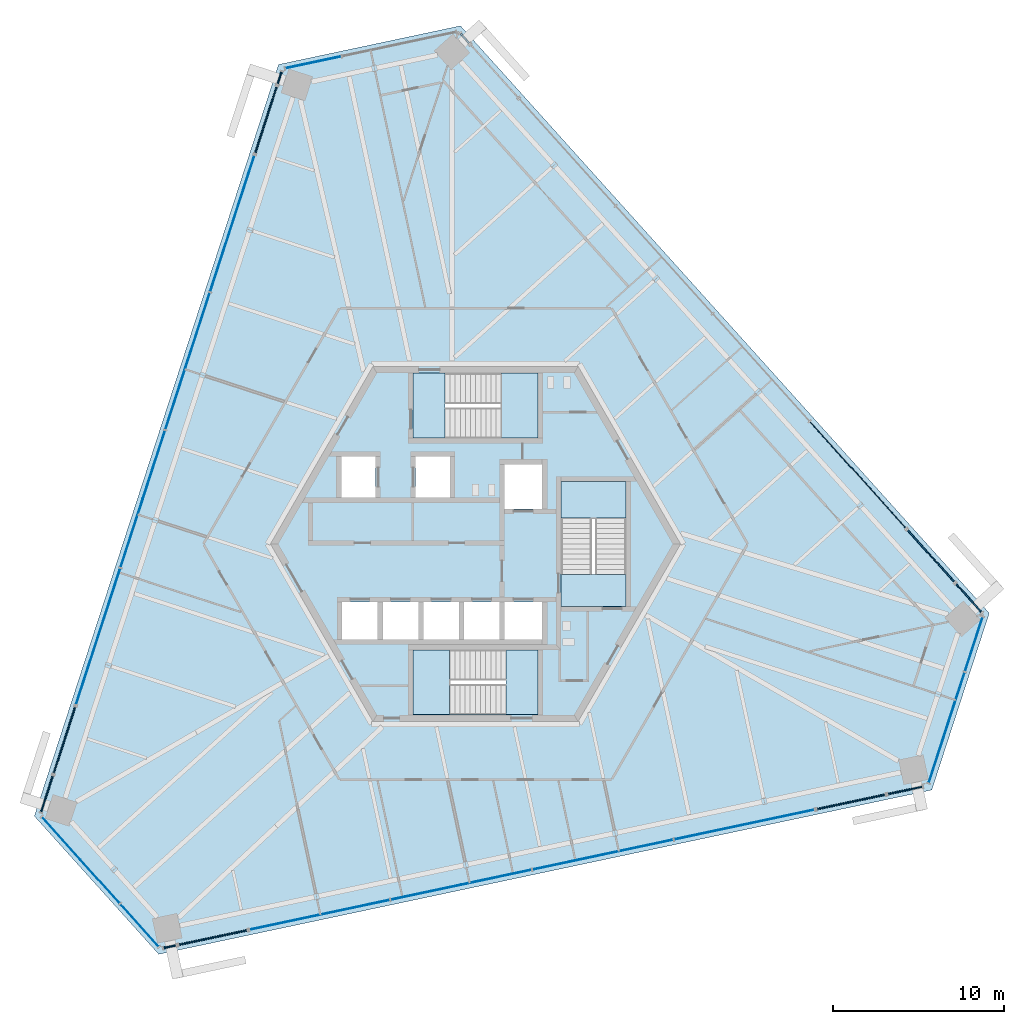
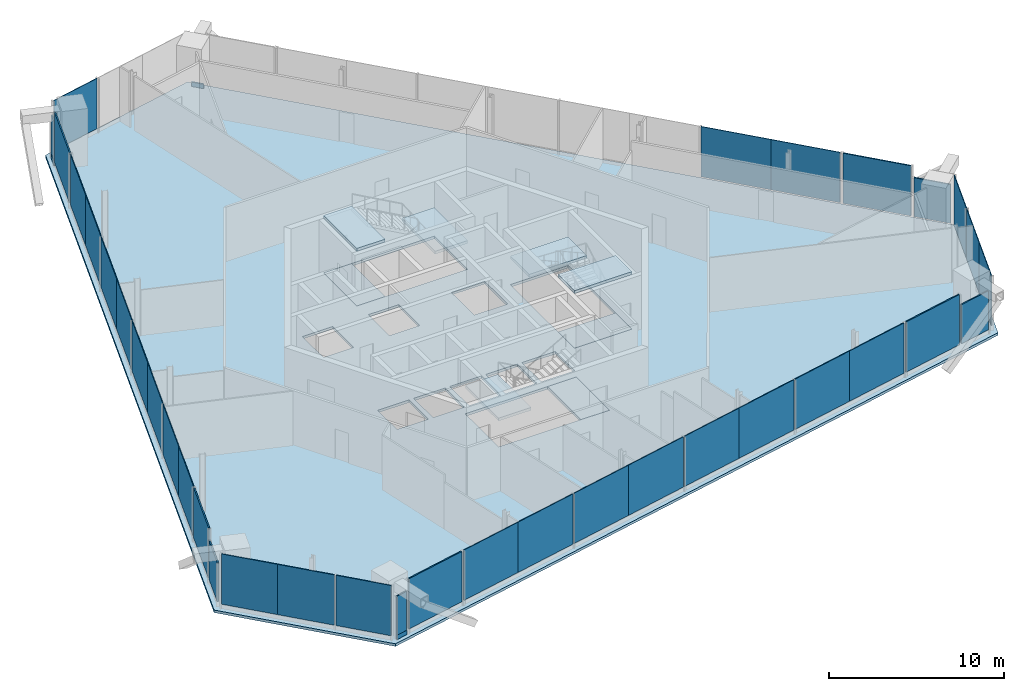
# One storey, part 9 of 16: 35 plates, 9 slabs, 3 members, 20 elements without a shape of their own.
"""IFC4 building model written with IfcOpenShell, lengths in metres."""

from ifc_helpers import new_model, si_unit, direction, frame, origin, origin_2d, place, context, subcontext, project, spatial, polyline, rectangle, outline, extrude, source, transform, mapped, material, layer, layer_set, material_profile, profile_set, type_object, element, aggregate, save


model = new_model("IFC4")

# Units and contexts
model_context = context("Model", 3, precision=1e-05, world=origin(), true_north=direction((0.0, 1.0)))
body_context = subcontext(model_context, "Body", "Model", "MODEL_VIEW")
ifc_project = project(units=[si_unit("LENGTHUNIT", "METRE"), si_unit("AREAUNIT", "SQUARE_METRE"), si_unit("VOLUMEUNIT", "CUBIC_METRE"), si_unit("PLANEANGLEUNIT", "RADIAN"), si_unit("MASSUNIT", "GRAM", prefix="KILO")], contexts=[model_context])

# Site, building, storey
site_placement = place(None, origin())
site = spatial("IfcSite", under=ifc_project, at=site_placement, CompositionType="ELEMENT")
building_placement = place(site_placement, origin())
building = spatial("IfcBuilding", under=site, at=building_placement, Name="Triune Harvest Tower", CompositionType="ELEMENT")
storey_placement = place(building_placement, frame((0.0, 0.0, 292.699951171875)))
storey = spatial("IfcBuildingStorey", under=building, at=storey_placement, Name="L77", CompositionType="ELEMENT", Elevation=292.699951171875)

# Curtain wall, member
ifc_material_1 = material(Name="Aluminium bronze anodised", Category="aluminium")
curtain_wall_type_1 = type_object("IfcCurtainWallType", Name="CW-9 Sky lobby tall glazing wall with insulated spandrel infill", PredefinedType="NOTDEFINED", material=ifc_material_1)
curtain_wall_1_placement = place(storey_placement, origin())
curtain_wall_1 = element("IfcCurtainWall", 1, at=curtain_wall_1_placement, inside=storey, type_object=curtain_wall_type_1, Name="CW-9 B7-F1 L77 run 201")
ifc_material_2 = material(Name="Aluminium bronze anodised", Category="aluminium")
ifc_material_profile = material_profile(ifc_material_2, rectangle(XDim=0.10009765625, YDim=0.300048828125, at=origin_2d()), Name="TR-4 transom 100 x 300")
ifc_profile_set = profile_set([ifc_material_profile], Name="Aluminium bronze anodised")
member_type = type_object("IfcMemberType", Name="TR-4 transom 100 x 300", PredefinedType="USERDEFINED", material=ifc_profile_set)
shared_shape_1 = source(origin(), body_context, "Body", "SweptSolid", [
    extrude(rectangle(XDim=0.10009765625, YDim=0.300048828125, at=origin_2d()), origin(), (0.0, 0.0, 1.0), 0.74169921875),
])
member_1_placement = place(storey_placement, frame((-0.37255859375, 29.302001953125, 0.150146484375), z_axis=(-0.669110188221, 0.743163209544, 0.0), x_axis=(-0.743163209544, -0.669110188221, 0.0)))
member_1 = element("IfcMember", 2, at=member_1_placement, type_object=member_type, Name="CW-9 transom B7-F1 201.1", ObjectType="TRANSOM", PredefinedType="USERDEFINED", context=body_context, shape_type="MappedRepresentation", body=[
    mapped(shared_shape_1, transform((0.0, 0.0, 0.0), scale=1.0)),
])
aggregate(curtain_wall_1, [member_1])

curtain_wall_2_placement = place(storey_placement, origin())
curtain_wall_2 = element("IfcCurtainWall", 3, at=curtain_wall_2_placement, inside=storey, type_object=curtain_wall_type_1, Name="CW-9 B7-F3 L77 run 1")
member_2_placement = place(storey_placement, frame((-11.3486328125, 27.625732421875, 0.150146484375), z_axis=(-0.309108402762, -0.951026811053, 0.0), x_axis=(0.951026811053, -0.309108402762, 0.0)))
member_2 = element("IfcMember", 4, at=member_2_placement, type_object=member_type, Name="CW-9 transom B7-F3 1.1", ObjectType="TRANSOM", PredefinedType="USERDEFINED", context=body_context, shape_type="MappedRepresentation", body=[
    mapped(shared_shape_1, transform((0.0, 0.0, 0.0), scale=1.0)),
])

curtain_wall_3_placement = place(storey_placement, origin())
curtain_wall_3 = element("IfcCurtainWall", 5, at=curtain_wall_3_placement, inside=storey, type_object=curtain_wall_type_1, Name="CW-9 B7-F5 L77 run 1")
member_3_placement = place(storey_placement, frame((-18.25048828125, -23.640869140625, 0.150146484375), z_axis=(0.978195641473, 0.207685548375, 0.0), x_axis=(-0.207685548375, 0.978195641473, 0.0)))
member_3 = element("IfcMember", 6, at=member_3_placement, type_object=member_type, Name="CW-9 transom B7-F5 1.1", ObjectType="TRANSOM", PredefinedType="USERDEFINED", context=body_context, shape_type="MappedRepresentation", body=[
    mapped(shared_shape_1, transform((0.0, 0.0, 0.0), scale=1.0)),
])

# Curtain wall, plate
ifc_material_3 = material(Name="Aluminium bronze anodised", Category="aluminium")
curtain_wall_type_2 = type_object("IfcCurtainWallType", Name="CW-4 Sky lobby tall glazing wall", PredefinedType="NOTDEFINED", material=ifc_material_3)
curtain_wall_4_placement = place(storey_placement, origin())
curtain_wall_4 = element("IfcCurtainWall", 7, at=curtain_wall_4_placement, inside=storey, type_object=curtain_wall_type_2, Name="CW-4 B7-F4 L77 run 1")
ifc_material_4 = material(Name="Glass", Category="glass")
ifc_layer_1 = layer(ifc_material_4, 0.0439453125)
ifc_layer_set_1 = layer_set([ifc_layer_1], Name="Glass")
plate_type_1 = type_object("IfcPlateType", Name="GL-4 panel 44", PredefinedType="CURTAIN_PANEL", material=ifc_layer_set_1)
plate_1_placement = place(storey_placement, frame((-24.229736328125, -17.233154296875, 0.300048828125), z_axis=(0.0, 0.0, 1.0), x_axis=(0.669132031472, -0.743143542297, 0.0)))
plate_1 = element("IfcPlate", 8, at=plate_1_placement, type_object=plate_type_1, Name="CW-4 panel B7-F4 1.1", PredefinedType="CURTAIN_PANEL", context=body_context, shape_type="SweptSolid", body=[
    extrude(rectangle(XDim=3.361083984375, YDim=0.0439453125, at=origin_2d()), origin(), (0.0, 0.0, 1.0), 3.5),
])

curtain_wall_5_placement = place(storey_placement, origin())
curtain_wall_5 = element("IfcCurtainWall", 9, at=curtain_wall_5_placement, inside=storey, type_object=curtain_wall_type_1, Name="CW-9 B7-F5 L77 run 201")
ifc_material_5 = material(Name="Insulated spandrel panel, bronze aluminium pan", Category="aluminium")
ifc_layer_2 = layer(ifc_material_5, 0.080078125)
ifc_layer_set_2 = layer_set([ifc_layer_2], Name="Insulated spandrel panel, bronze aluminium pan")
plate_type_2 = type_object("IfcPlateType", Name="SP-1 insulated spandrel panel 80", PredefinedType="CURTAIN_PANEL", material=ifc_layer_set_2)
plate_2_placement = place(storey_placement, frame((25.135986328125, -14.4189453125, 0.2998046875), z_axis=(0.0, 0.0, 1.0), x_axis=(0.978151108661, 0.207895186635, 0.0)))
plate_2 = element("IfcPlate", 10, at=plate_2_placement, type_object=plate_type_2, Name="CW-9 panel B7-F5 201.1", PredefinedType="CURTAIN_PANEL", context=body_context, shape_type="SweptSolid", body=[
    extrude(rectangle(XDim=2.052490234375, YDim=0.080078125, at=origin_2d()), origin(), (0.0, 0.0, 1.0), 2.715087890625),
])
aggregate(curtain_wall_5, [plate_2])

# Slab
ifc_material_6 = material(Name="Concrete 40 MPa", Category="concrete")
ifc_layer_3 = layer(ifc_material_6, 0.179931640625)
ifc_layer_set_3 = layer_set([ifc_layer_3], Name="Concrete 40 MPa")
slab_type_1 = type_object("IfcSlabType", Name="SL-2 Composite floor slab 180", PredefinedType="FLOOR", material=ifc_layer_set_3)
shared_shape_2 = source(origin(), body_context, "Body", "SweptSolid", [
    extrude(outline(polyline([(30.05810546875, -4.04638671875), (-0.88232421875, 30.31640625), (-11.524658203125, 28.054443359375), (-25.813720703125, -15.922607421875), (-18.533447265625, -24.0078125), (26.696044921875, -14.39404296875), (30.05810546875, -4.04638671875)]), holes=[polyline([(-5.72509765625, -5.590087890625), (-5.72509765625, -3.389892578125), (-7.800048828125, -3.389892578125), (-7.800048828125, -5.590087890625), (-5.72509765625, -5.590087890625)]), polyline([(-3.35009765625, -5.590087890625), (-3.35009765625, -3.389892578125), (-5.425048828125, -3.389892578125), (-5.425048828125, -5.590087890625), (-3.35009765625, -5.590087890625)]), polyline([(-0.97509765625, -5.590087890625), (-0.97509765625, -3.389892578125), (-3.050048828125, -3.389892578125), (-3.050048828125, -5.590087890625), (-0.97509765625, -5.590087890625)]), polyline([(1.39990234375, -5.590087890625), (1.39990234375, -3.389892578125), (-0.675048828125, -3.389892578125), (-0.675048828125, -5.590087890625), (1.39990234375, -5.590087890625)]), polyline([(3.89990234375, 2.06005859375), (3.89990234375, 4.659912109375), (1.699951171875, 4.659912109375), (1.699951171875, 2.06005859375), (3.89990234375, 2.06005859375)]), polyline([(3.89990234375, -5.590087890625), (3.89990234375, -3.389892578125), (1.699951171875, -3.389892578125), (1.699951171875, -5.590087890625), (3.89990234375, -5.590087890625)]), polyline([(-5.85009765625, 2.7099609375), (-5.85009765625, 5.110107421875), (-7.85009765625, 5.110107421875), (-7.85009765625, 2.7099609375), (-5.85009765625, 2.7099609375)]), polyline([(-1.5, 2.7099609375), (-1.5, 5.110107421875), (-3.5, 5.110107421875), (-3.5, 2.7099609375), (-1.5, 2.7099609375)]), polyline([(3.64990234375, 6.18994140625), (3.64990234375, 9.989990234375), (-3.64990234375, 9.989990234375), (-3.64990234375, 6.18994140625), (3.64990234375, 6.18994140625)]), polyline([(3.64990234375, -9.989990234375), (3.64990234375, -6.18994140625), (-3.64990234375, -6.18994140625), (-3.64990234375, -9.989990234375), (3.64990234375, -9.989990234375)]), polyline([(8.800048828125, -3.64990234375), (8.800048828125, 3.64990234375), (5.0, 3.64990234375), (5.0, -3.64990234375), (8.800048828125, -3.64990234375)])]), origin(), (0.0, 0.0, 1.0), 0.179931640625),
])
slab_1_placement = place(storey_placement, frame((0.0, 0.0, -0.179931640625)))
element("IfcSlab", 11, at=slab_1_placement, inside=storey, type_object=slab_type_1, Name="slab/L77/1", PredefinedType="FLOOR", context=body_context, shape_type="MappedRepresentation", body=[
    mapped(shared_shape_2, transform((0.0, 0.0, 0.0), scale=1.0)),
])

# Stair, slabs
ifc_material_7 = material(Name="Concrete 40 MPa", Category="concrete")
stair_type = type_object("IfcStairType", Name="Exit stair 1800 half turn", PredefinedType="HALF_TURN_STAIR", material=ifc_material_7)
stair_1_placement = place(storey_placement, origin())
stair_1 = element("IfcStair", 12, at=stair_1_placement, inside=storey, type_object=stair_type, Name="Exit stair north", PredefinedType="HALF_TURN_STAIR")
ifc_material_8 = material(Name="Concrete 40 MPa", Category="concrete")
ifc_layer_4 = layer(ifc_material_8, 0.199951171875)
ifc_layer_set_4 = layer_set([ifc_layer_4], Name="Concrete 40 MPa")
slab_type_2 = type_object("IfcSlabType", Name="Stair landing 200", PredefinedType="LANDING", material=ifc_layer_set_4)
shared_shape_3 = source(origin(), body_context, "Body", "SweptSolid", [
    extrude(outline(polyline([(1.510009765625, 6.18994140625), (3.64990234375, 6.18994140625), (3.64990234375, 9.989990234375), (1.510009765625, 9.989990234375), (1.510009765625, 6.18994140625)])), origin(), (0.0, 0.0, 1.0), 0.199951171875),
])
slab_2_placement = place(storey_placement, frame((0.0, 0.0, 1.800048828125)))
slab_2 = element("IfcSlab", 13, at=slab_2_placement, type_object=slab_type_2, Name="ST-1 landing 2", PredefinedType="LANDING", context=body_context, shape_type="MappedRepresentation", body=[
    mapped(shared_shape_3, transform((0.0, 0.0, 0.0), scale=1.0)),
])
shared_shape_4 = source(origin(), body_context, "Body", "SweptSolid", [
    extrude(outline(polyline([(-3.64990234375, 6.18994140625), (-1.780029296875, 6.18994140625), (-1.780029296875, 9.989990234375), (-3.64990234375, 9.989990234375), (-3.64990234375, 6.18994140625)])), origin(), (0.0, 0.0, 1.0), 0.199951171875),
])
slab_3_placement = place(storey_placement, frame((0.0, 0.0, -0.199951171875)))
slab_3 = element("IfcSlab", 14, at=slab_3_placement, type_object=slab_type_2, Name="ST-1 landing 1", PredefinedType="LANDING", context=body_context, shape_type="MappedRepresentation", body=[
    mapped(shared_shape_4, transform((0.0, 0.0, 0.0), scale=1.0)),
])
slab_4_placement = place(storey_placement, frame((0.0, 0.0, 3.800048828125)))
slab_4 = element("IfcSlab", 15, at=slab_4_placement, type_object=slab_type_2, Name="ST-1 landing 3", PredefinedType="LANDING", context=body_context, shape_type="MappedRepresentation", body=[
    mapped(shared_shape_4, transform((0.0, 0.0, 0.0), scale=1.0)),
])
aggregate(stair_1, [slab_3, slab_2, slab_4])

stair_2_placement = place(storey_placement, origin())
stair_2 = element("IfcStair", 16, at=stair_2_placement, inside=storey, type_object=stair_type, Name="Exit stair south", PredefinedType="HALF_TURN_STAIR")
shared_shape_5 = source(origin(), body_context, "Body", "SweptSolid", [
    extrude(outline(polyline([(-1.510009765625, -6.18994140625), (-3.64990234375, -6.18994140625), (-3.64990234375, -9.989990234375), (-1.510009765625, -9.989990234375), (-1.510009765625, -6.18994140625)])), origin(), (0.0, 0.0, 1.0), 0.199951171875),
])
slab_5_placement = place(storey_placement, frame((0.0, 0.0, 1.800048828125)))
slab_5 = element("IfcSlab", 17, at=slab_5_placement, type_object=slab_type_2, Name="ST-2 landing 2", PredefinedType="LANDING", context=body_context, shape_type="MappedRepresentation", body=[
    mapped(shared_shape_5, transform((0.0, 0.0, 0.0), scale=1.0)),
])
shared_shape_6 = source(origin(), body_context, "Body", "SweptSolid", [
    extrude(outline(polyline([(3.64990234375, -6.18994140625), (1.780029296875, -6.18994140625), (1.780029296875, -9.989990234375), (3.64990234375, -9.989990234375), (3.64990234375, -6.18994140625)])), origin(), (0.0, 0.0, 1.0), 0.199951171875),
])
slab_6_placement = place(storey_placement, frame((0.0, 0.0, -0.199951171875)))
slab_6 = element("IfcSlab", 18, at=slab_6_placement, type_object=slab_type_2, Name="ST-2 landing 1", PredefinedType="LANDING", context=body_context, shape_type="MappedRepresentation", body=[
    mapped(shared_shape_6, transform((0.0, 0.0, 0.0), scale=1.0)),
])
aggregate(stair_2, [slab_6, slab_5])

stair_3_placement = place(storey_placement, origin())
stair_3 = element("IfcStair", 19, at=stair_3_placement, inside=storey, type_object=stair_type, Name="Exit stair east", PredefinedType="HALF_TURN_STAIR")
shared_shape_7 = source(origin(), body_context, "Body", "SweptSolid", [
    extrude(outline(polyline([(8.800048828125, 1.510009765625), (8.800048828125, 3.64990234375), (5.0, 3.64990234375), (5.0, 1.510009765625), (8.800048828125, 1.510009765625)])), origin(), (0.0, 0.0, 1.0), 0.199951171875),
])
slab_7_placement = place(storey_placement, frame((0.0, 0.0, 1.800048828125)))
slab_7 = element("IfcSlab", 20, at=slab_7_placement, type_object=slab_type_2, Name="ST-3 landing 2", PredefinedType="LANDING", context=body_context, shape_type="MappedRepresentation", body=[
    mapped(shared_shape_7, transform((0.0, 0.0, 0.0), scale=1.0)),
])
shared_shape_8 = source(origin(), body_context, "Body", "SweptSolid", [
    extrude(outline(polyline([(8.800048828125, -3.64990234375), (8.800048828125, -1.780029296875), (5.0, -1.780029296875), (5.0, -3.64990234375), (8.800048828125, -3.64990234375)])), origin(), (0.0, 0.0, 1.0), 0.199951171875),
])
slab_8_placement = place(storey_placement, frame((0.0, 0.0, -0.199951171875)))
slab_8 = element("IfcSlab", 21, at=slab_8_placement, type_object=slab_type_2, Name="ST-3 landing 1", PredefinedType="LANDING", context=body_context, shape_type="MappedRepresentation", body=[
    mapped(shared_shape_8, transform((0.0, 0.0, 0.0), scale=1.0)),
])
slab_9_placement = place(storey_placement, frame((0.0, 0.0, 3.800048828125)))
slab_9 = element("IfcSlab", 22, at=slab_9_placement, type_object=slab_type_2, Name="ST-3 landing 3", PredefinedType="LANDING", context=body_context, shape_type="MappedRepresentation", body=[
    mapped(shared_shape_8, transform((0.0, 0.0, 0.0), scale=1.0)),
])
aggregate(stair_3, [slab_8, slab_7, slab_9])

# Curtain wall, plate
curtain_wall_6_placement = place(storey_placement, origin())
curtain_wall_6 = element("IfcCurtainWall", 23, at=curtain_wall_6_placement, inside=storey, type_object=curtain_wall_type_1, Name="CW-9 B7-F1 L77 run 1")
shared_shape_9 = source(origin(), body_context, "Body", "SweptSolid", [
    extrude(rectangle(XDim=2.2041015625, YDim=0.080078125, at=origin_2d()), origin(), (0.0, 0.0, 1.0), 2.715087890625),
])
plate_3_placement = place(storey_placement, frame((28.861572265625, -3.165771484375, 0.2998046875), z_axis=(0.0, 0.0, 1.0), x_axis=(-0.669143150953, 0.743133530082, 0.0)))
plate_3 = element("IfcPlate", 24, at=plate_3_placement, type_object=plate_type_2, Name="CW-9 panel B7-F1 1.1", PredefinedType="CURTAIN_PANEL", context=body_context, shape_type="MappedRepresentation", body=[
    mapped(shared_shape_9, transform((0.0, 0.0, 0.0), scale=1.0)),
])
aggregate(curtain_wall_6, [plate_3])

curtain_wall_7_placement = place(storey_placement, origin())
curtain_wall_7 = element("IfcCurtainWall", 25, at=curtain_wall_7_placement, inside=storey, type_object=curtain_wall_type_1, Name="CW-9 B7-F3 L77 run 201")
plate_4_placement = place(storey_placement, frame((-25.07861328125, -14.631103515625, 0.2998046875), z_axis=(0.0, 0.0, 1.0), x_axis=(-0.30903391022, -0.951051019838, 0.0)))
plate_4 = element("IfcPlate", 26, at=plate_4_placement, type_object=plate_type_2, Name="CW-9 panel B7-F3 201.1", PredefinedType="CURTAIN_PANEL", context=body_context, shape_type="MappedRepresentation", body=[
    mapped(shared_shape_9, transform((0.0, 0.0, 0.0), scale=1.0)),
])
aggregate(curtain_wall_7, [plate_4])

curtain_wall_8_placement = place(storey_placement, origin())
curtain_wall_8 = element("IfcCurtainWall", 27, at=curtain_wall_8_placement, inside=storey, type_object=curtain_wall_type_1, Name="CW-9 B7-F1 L77 run 101")
shared_shape_10 = source(origin(), body_context, "Body", "SweptSolid", [
    extrude(rectangle(XDim=4.060791015625, YDim=0.080078125, at=origin_2d()), origin(), (0.0, 0.0, 1.0), 3.5),
])
plate_5_placement = place(storey_placement, frame((26.64501953125, -0.7041015625, 0.300048828125), z_axis=(0.0, 0.0, 1.0), x_axis=(-0.669127566096, 0.743147562931, 0.0)))
plate_5 = element("IfcPlate", 28, at=plate_5_placement, type_object=plate_type_2, Name="CW-9 panel B7-F1 101.1", PredefinedType="CURTAIN_PANEL", context=body_context, shape_type="MappedRepresentation", body=[
    mapped(shared_shape_10, transform((0.0, 0.0, 0.0), scale=1.0)),
])
aggregate(curtain_wall_8, [plate_5])

curtain_wall_9_placement = place(storey_placement, origin())
curtain_wall_9 = element("IfcCurtainWall", 29, at=curtain_wall_9_placement, inside=storey, type_object=curtain_wall_type_1, Name="CW-9 B7-F3 L77 run 101")
plate_6_placement = place(storey_placement, frame((-12.2607421875, 24.818115234375, 0.300048828125), z_axis=(0.0, 0.0, 1.0), x_axis=(-0.309024220836, -0.951054168245, 0.0)))
plate_6 = element("IfcPlate", 30, at=plate_6_placement, type_object=plate_type_2, Name="CW-9 panel B7-F3 101.1", PredefinedType="CURTAIN_PANEL", context=body_context, shape_type="MappedRepresentation", body=[
    mapped(shared_shape_10, transform((0.0, 0.0, 0.0), scale=1.0)),
])
aggregate(curtain_wall_9, [plate_6])

curtain_wall_10_placement = place(storey_placement, origin())
curtain_wall_10 = element("IfcCurtainWall", 31, at=curtain_wall_10_placement, inside=storey, type_object=curtain_wall_type_1, Name="CW-9 B7-F3 L77 run 2101")
plate_7_placement = place(storey_placement, frame((-24.054931640625, -11.480712890625, 0.300048828125), z_axis=(0.0, 0.0, 1.0), x_axis=(-0.309024220836, -0.951054168245, 0.0)))
plate_7 = element("IfcPlate", 32, at=plate_7_placement, type_object=plate_type_2, Name="CW-9 panel B7-F3 2101.1", PredefinedType="CURTAIN_PANEL", context=body_context, shape_type="MappedRepresentation", body=[
    mapped(shared_shape_10, transform((0.0, 0.0, 0.0), scale=1.0)),
])
aggregate(curtain_wall_10, [plate_7])

curtain_wall_11_placement = place(storey_placement, origin())
curtain_wall_11 = element("IfcCurtainWall", 33, at=curtain_wall_11_placement, inside=storey, type_object=curtain_wall_type_1, Name="CW-9 B7-F5 L77 run 101")
plate_8_placement = place(storey_placement, frame((-15.36279296875, -23.027099609375, 0.300048828125), z_axis=(0.0, 0.0, 1.0), x_axis=(0.9781478824, 0.20791036568, 0.0)))
plate_8 = element("IfcPlate", 34, at=plate_8_placement, type_object=plate_type_2, Name="CW-9 panel B7-F5 101.1", PredefinedType="CURTAIN_PANEL", context=body_context, shape_type="MappedRepresentation", body=[
    mapped(shared_shape_10, transform((0.0, 0.0, 0.0), scale=1.0)),
])
aggregate(curtain_wall_11, [plate_8])

curtain_wall_12_placement = place(storey_placement, origin())
curtain_wall_12 = element("IfcCurtainWall", 35, at=curtain_wall_12_placement, inside=storey, type_object=curtain_wall_type_1, Name="CW-9 B7-F5 L77 run 2101")
plate_9_placement = place(storey_placement, frame((21.97021484375, -15.091796875, 0.300048828125), z_axis=(0.0, 0.0, 1.0), x_axis=(0.9781478824, 0.20791036568, 0.0)))
plate_9 = element("IfcPlate", 36, at=plate_9_placement, type_object=plate_type_2, Name="CW-9 panel B7-F5 2101.1", PredefinedType="CURTAIN_PANEL", context=body_context, shape_type="MappedRepresentation", body=[
    mapped(shared_shape_10, transform((0.0, 0.0, 0.0), scale=1.0)),
])
aggregate(curtain_wall_12, [plate_9])

curtain_wall_13_placement = place(storey_placement, origin())
curtain_wall_13 = element("IfcCurtainWall", 37, at=curtain_wall_13_placement, inside=storey, type_object=curtain_wall_type_2, Name="CW-4 B7-F1 L77 run 1101")
shared_shape_11 = source(origin(), body_context, "Body", "SweptSolid", [
    extrude(rectangle(XDim=4.15087890625, YDim=0.0439453125, at=origin_2d()), origin(), (0.0, 0.0, 1.0), 3.5),
])
plate_10_placement = place(storey_placement, frame((23.77734375, 2.480712890625, 0.300048828125), z_axis=(0.0, 0.0, 1.0), x_axis=(-0.669132449647, 0.743143165769, 0.0)))
plate_10 = element("IfcPlate", 38, at=plate_10_placement, type_object=plate_type_1, Name="CW-4 panel B7-F1 1101.1", PredefinedType="CURTAIN_PANEL", context=body_context, shape_type="MappedRepresentation", body=[
    mapped(shared_shape_11, transform((0.0, 0.0, 0.0), scale=1.0)),
])

# Curtain wall, plates
curtain_wall_14_placement = place(storey_placement, origin())
curtain_wall_14 = element("IfcCurtainWall", 39, at=curtain_wall_14_placement, inside=storey, type_object=curtain_wall_type_2, Name="CW-4 B7-F3 L77 run 1101")
plate_11_placement = place(storey_placement, frame((-13.585205078125, 20.7421875, 0.300048828125), z_axis=(0.0, 0.0, 1.0), x_axis=(-0.309012690134, -0.951057914817, 0.0)))
plate_11 = element("IfcPlate", 40, at=plate_11_placement, type_object=plate_type_1, Name="CW-4 panel B7-F3 1101.1", PredefinedType="CURTAIN_PANEL", context=body_context, shape_type="MappedRepresentation", body=[
    mapped(shared_shape_11, transform((0.0, 0.0, 0.0), scale=1.0)),
])
plate_12_placement = place(storey_placement, frame((-22.73046875, -7.40478515625, 0.300048828125), z_axis=(0.0, 0.0, 1.0), x_axis=(-0.309012690134, -0.951057914817, 0.0)))
plate_12 = element("IfcPlate", 41, at=plate_12_placement, type_object=plate_type_1, Name="CW-4 panel B7-F3 1101.8", PredefinedType="CURTAIN_PANEL", context=body_context, shape_type="MappedRepresentation", body=[
    mapped(shared_shape_11, transform((0.0, 0.0, 0.0), scale=1.0)),
])

curtain_wall_15_placement = place(storey_placement, origin())
curtain_wall_15 = element("IfcCurtainWall", 42, at=curtain_wall_15_placement, inside=storey, type_object=curtain_wall_type_2, Name="CW-4 B7-F5 L77 run 1101")
plate_13_placement = place(storey_placement, frame((-11.170654296875, -22.135986328125, 0.300048828125), z_axis=(0.0, 0.0, 1.0), x_axis=(0.9781478824, 0.20791036568, 0.0)))
plate_13 = element("IfcPlate", 43, at=plate_13_placement, type_object=plate_type_1, Name="CW-4 panel B7-F5 1101.1", PredefinedType="CURTAIN_PANEL", context=body_context, shape_type="MappedRepresentation", body=[
    mapped(shared_shape_11, transform((0.0, 0.0, 0.0), scale=1.0)),
])
plate_14_placement = place(storey_placement, frame((17.778076171875, -15.98291015625, 0.300048828125), z_axis=(0.0, 0.0, 1.0), x_axis=(0.9781478824, 0.20791036568, 0.0)))
plate_14 = element("IfcPlate", 44, at=plate_14_placement, type_object=plate_type_1, Name="CW-4 panel B7-F5 1101.8", PredefinedType="CURTAIN_PANEL", context=body_context, shape_type="MappedRepresentation", body=[
    mapped(shared_shape_11, transform((0.0, 0.0, 0.0), scale=1.0)),
])

# Plate
shared_shape_12 = source(origin(), body_context, "Body", "SweptSolid", [
    extrude(rectangle(XDim=4.19580078125, YDim=0.0439453125, at=origin_2d()), origin(), (0.0, 0.0, 1.0), 3.5),
])
plate_15_placement = place(storey_placement, frame((20.98486328125, 5.58203125, 0.300048828125), z_axis=(0.0, 0.0, 1.0), x_axis=(-0.669132449647, 0.743143165769, 0.0)))
plate_15 = element("IfcPlate", 45, at=plate_15_placement, type_object=plate_type_1, Name="CW-4 panel B7-F1 1101.2", PredefinedType="CURTAIN_PANEL", context=body_context, shape_type="MappedRepresentation", body=[
    mapped(shared_shape_12, transform((0.0, 0.0, 0.0), scale=1.0)),
])

aggregate(curtain_wall_13, [plate_10, plate_15])

plate_16_placement = place(storey_placement, frame((-14.874755859375, 16.773193359375, 0.300048828125), z_axis=(0.0, 0.0, 1.0), x_axis=(-0.309012690134, -0.951057914817, 0.0)))
plate_16 = element("IfcPlate", 46, at=plate_16_placement, type_object=plate_type_1, Name="CW-4 panel B7-F3 1101.2", PredefinedType="CURTAIN_PANEL", context=body_context, shape_type="MappedRepresentation", body=[
    mapped(shared_shape_12, transform((0.0, 0.0, 0.0), scale=1.0)),
])

plate_17_placement = place(storey_placement, frame((-16.19921875, 12.697021484375, 0.300048828125), z_axis=(0.0, 0.0, 1.0), x_axis=(-0.309012690134, -0.951057914817, 0.0)))
plate_17 = element("IfcPlate", 47, at=plate_17_placement, type_object=plate_type_1, Name="CW-4 panel B7-F3 1101.3", PredefinedType="CURTAIN_PANEL", context=body_context, shape_type="MappedRepresentation", body=[
    mapped(shared_shape_12, transform((0.0, 0.0, 0.0), scale=1.0)),
])

plate_18_placement = place(storey_placement, frame((-17.49560546875, 8.70654296875, 0.300048828125), z_axis=(0.0, 0.0, 1.0), x_axis=(-0.309012690134, -0.951057914817, 0.0)))
plate_18 = element("IfcPlate", 48, at=plate_18_placement, type_object=plate_type_1, Name="CW-4 panel B7-F3 1101.4", PredefinedType="CURTAIN_PANEL", context=body_context, shape_type="MappedRepresentation", body=[
    mapped(shared_shape_12, transform((0.0, 0.0, 0.0), scale=1.0)),
])

plate_19_placement = place(storey_placement, frame((-18.820068359375, 4.630615234375, 0.300048828125), z_axis=(0.0, 0.0, 1.0), x_axis=(-0.309012690134, -0.951057914817, 0.0)))
plate_19 = element("IfcPlate", 49, at=plate_19_placement, type_object=plate_type_1, Name="CW-4 panel B7-F3 1101.5", PredefinedType="CURTAIN_PANEL", context=body_context, shape_type="MappedRepresentation", body=[
    mapped(shared_shape_12, transform((0.0, 0.0, 0.0), scale=1.0)),
])

plate_20_placement = place(storey_placement, frame((-20.11669921875, 0.64013671875, 0.300048828125), z_axis=(0.0, 0.0, 1.0), x_axis=(-0.309012690134, -0.951057914817, 0.0)))
plate_20 = element("IfcPlate", 50, at=plate_20_placement, type_object=plate_type_1, Name="CW-4 panel B7-F3 1101.6", PredefinedType="CURTAIN_PANEL", context=body_context, shape_type="MappedRepresentation", body=[
    mapped(shared_shape_12, transform((0.0, 0.0, 0.0), scale=1.0)),
])

plate_21_placement = place(storey_placement, frame((-21.44091796875, -3.435791015625, 0.300048828125), z_axis=(0.0, 0.0, 1.0), x_axis=(-0.309012690134, -0.951057914817, 0.0)))
plate_21 = element("IfcPlate", 51, at=plate_21_placement, type_object=plate_type_1, Name="CW-4 panel B7-F3 1101.7", PredefinedType="CURTAIN_PANEL", context=body_context, shape_type="MappedRepresentation", body=[
    mapped(shared_shape_12, transform((0.0, 0.0, 0.0), scale=1.0)),
])

aggregate(curtain_wall_14, [plate_11, plate_16, plate_17, plate_18, plate_19, plate_20, plate_21, plate_12])

plate_22_placement = place(storey_placement, frame((-7.088623046875, -21.268310546875, 0.300048828125), z_axis=(0.0, 0.0, 1.0), x_axis=(0.9781478824, 0.20791036568, 0.0)))
plate_22 = element("IfcPlate", 52, at=plate_22_placement, type_object=plate_type_1, Name="CW-4 panel B7-F5 1101.2", PredefinedType="CURTAIN_PANEL", context=body_context, shape_type="MappedRepresentation", body=[
    mapped(shared_shape_12, transform((0.0, 0.0, 0.0), scale=1.0)),
])

plate_23_placement = place(storey_placement, frame((-2.896484375, -20.37744140625, 0.300048828125), z_axis=(0.0, 0.0, 1.0), x_axis=(0.9781478824, 0.20791036568, 0.0)))
plate_23 = element("IfcPlate", 53, at=plate_23_placement, type_object=plate_type_1, Name="CW-4 panel B7-F5 1101.3", PredefinedType="CURTAIN_PANEL", context=body_context, shape_type="MappedRepresentation", body=[
    mapped(shared_shape_12, transform((0.0, 0.0, 0.0), scale=1.0)),
])

plate_24_placement = place(storey_placement, frame((1.207763671875, -19.505126953125, 0.300048828125), z_axis=(0.0, 0.0, 1.0), x_axis=(0.9781478824, 0.20791036568, 0.0)))
plate_24 = element("IfcPlate", 54, at=plate_24_placement, type_object=plate_type_1, Name="CW-4 panel B7-F5 1101.4", PredefinedType="CURTAIN_PANEL", context=body_context, shape_type="MappedRepresentation", body=[
    mapped(shared_shape_12, transform((0.0, 0.0, 0.0), scale=1.0)),
])

plate_25_placement = place(storey_placement, frame((5.399658203125, -18.614013671875, 0.300048828125), z_axis=(0.0, 0.0, 1.0), x_axis=(0.9781478824, 0.20791036568, 0.0)))
plate_25 = element("IfcPlate", 55, at=plate_25_placement, type_object=plate_type_1, Name="CW-4 panel B7-F5 1101.5", PredefinedType="CURTAIN_PANEL", context=body_context, shape_type="MappedRepresentation", body=[
    mapped(shared_shape_12, transform((0.0, 0.0, 0.0), scale=1.0)),
])

plate_26_placement = place(storey_placement, frame((9.50390625, -17.74169921875, 0.300048828125), z_axis=(0.0, 0.0, 1.0), x_axis=(0.9781478824, 0.20791036568, 0.0)))
plate_26 = element("IfcPlate", 56, at=plate_26_placement, type_object=plate_type_1, Name="CW-4 panel B7-F5 1101.6", PredefinedType="CURTAIN_PANEL", context=body_context, shape_type="MappedRepresentation", body=[
    mapped(shared_shape_12, transform((0.0, 0.0, 0.0), scale=1.0)),
])

plate_27_placement = place(storey_placement, frame((13.696044921875, -16.8505859375, 0.300048828125), z_axis=(0.0, 0.0, 1.0), x_axis=(0.9781478824, 0.20791036568, 0.0)))
plate_27 = element("IfcPlate", 57, at=plate_27_placement, type_object=plate_type_1, Name="CW-4 panel B7-F5 1101.7", PredefinedType="CURTAIN_PANEL", context=body_context, shape_type="MappedRepresentation", body=[
    mapped(shared_shape_12, transform((0.0, 0.0, 0.0), scale=1.0)),
])

aggregate(curtain_wall_15, [plate_13, plate_22, plate_23, plate_24, plate_25, plate_26, plate_27, plate_14])

# Curtain wall, plate
curtain_wall_16_placement = place(storey_placement, origin())
curtain_wall_16 = element("IfcCurtainWall", 58, at=curtain_wall_16_placement, inside=storey, type_object=curtain_wall_type_2, Name="CW-4 B7-F6 L77 run 1")
shared_shape_13 = source(origin(), body_context, "Body", "SweptSolid", [
    extrude(rectangle(XDim=3.361328125, YDim=0.0439453125, at=origin_2d()), origin(), (0.0, 0.0, 1.0), 3.5),
])
plate_28_placement = place(storey_placement, frame((27.039306640625, -12.366943359375, 0.300048828125), z_axis=(0.0, 0.0, 1.0), x_axis=(0.309018882717, 0.951055902733, 0.0)))
plate_28 = element("IfcPlate", 59, at=plate_28_placement, type_object=plate_type_1, Name="CW-4 panel B7-F6 1.1", PredefinedType="CURTAIN_PANEL", context=body_context, shape_type="MappedRepresentation", body=[
    mapped(shared_shape_13, transform((0.0, 0.0, 0.0), scale=1.0)),
])

# Plate
shared_shape_14 = source(origin(), body_context, "Body", "SweptSolid", [
    extrude(rectangle(XDim=3.40625, YDim=0.0439453125, at=origin_2d()), origin(), (0.0, 0.0, 1.0), 3.5),
])
plate_29_placement = place(storey_placement, frame((-21.9658203125, -19.747802734375, 0.300048828125), z_axis=(0.0, 0.0, 1.0), x_axis=(0.669132031472, -0.743143542297, 0.0)))
plate_29 = element("IfcPlate", 60, at=plate_29_placement, type_object=plate_type_1, Name="CW-4 panel B7-F4 1.2", PredefinedType="CURTAIN_PANEL", context=body_context, shape_type="MappedRepresentation", body=[
    mapped(shared_shape_14, transform((0.0, 0.0, 0.0), scale=1.0)),
])

plate_30_placement = place(storey_placement, frame((28.0849609375, -9.14892578125, 0.300048828125), z_axis=(0.0, 0.0, 1.0), x_axis=(0.309018882717, 0.951055902733, 0.0)))
plate_30 = element("IfcPlate", 61, at=plate_30_placement, type_object=plate_type_1, Name="CW-4 panel B7-F6 1.2", PredefinedType="CURTAIN_PANEL", context=body_context, shape_type="MappedRepresentation", body=[
    mapped(shared_shape_14, transform((0.0, 0.0, 0.0), scale=1.0)),
])

# Curtain wall, plate
curtain_wall_17_placement = place(storey_placement, origin())
curtain_wall_17 = element("IfcCurtainWall", 62, at=curtain_wall_17_placement, inside=storey, type_object=curtain_wall_type_2, Name="CW-4 B7-F2 L77 run 1")
shared_shape_15 = source(origin(), body_context, "Body", "SweptSolid", [
    extrude(rectangle(XDim=3.316162109375, YDim=0.0439453125, at=origin_2d()), origin(), (0.0, 0.0, 1.0), 3.5),
])
plate_31_placement = place(storey_placement, frame((-9.494873046875, 28.17919921875, 0.300048828125), z_axis=(0.0, 0.0, 1.0), x_axis=(-0.978149078297, -0.207904739307, 0.0)))
plate_31 = element("IfcPlate", 63, at=plate_31_placement, type_object=plate_type_1, Name="CW-4 panel B7-F2 1.3", PredefinedType="CURTAIN_PANEL", context=body_context, shape_type="MappedRepresentation", body=[
    mapped(shared_shape_15, transform((0.0, 0.0, 0.0), scale=1.0)),
])
aggregate(curtain_wall_17, [plate_31])

# Plate
plate_32_placement = place(storey_placement, frame((-19.656494140625, -22.3125, 0.300048828125), z_axis=(0.0, 0.0, 1.0), x_axis=(0.669132031472, -0.743143542297, 0.0)))
plate_32 = element("IfcPlate", 64, at=plate_32_placement, type_object=plate_type_1, Name="CW-4 panel B7-F4 1.3", PredefinedType="CURTAIN_PANEL", context=body_context, shape_type="MappedRepresentation", body=[
    mapped(shared_shape_15, transform((0.0, 0.0, 0.0), scale=1.0)),
])

aggregate(curtain_wall_4, [plate_1, plate_29, plate_32])

plate_33_placement = place(storey_placement, frame((29.1513671875, -5.86669921875, 0.300048828125), z_axis=(0.0, 0.0, 1.0), x_axis=(0.309018882717, 0.951055902733, 0.0)))
plate_33 = element("IfcPlate", 65, at=plate_33_placement, type_object=plate_type_1, Name="CW-4 panel B7-F6 1.3", PredefinedType="CURTAIN_PANEL", context=body_context, shape_type="MappedRepresentation", body=[
    mapped(shared_shape_15, transform((0.0, 0.0, 0.0), scale=1.0)),
])

aggregate(curtain_wall_16, [plate_28, plate_30, plate_33])

shared_shape_16 = source(origin(), body_context, "Body", "SweptSolid", [
    extrude(rectangle(XDim=0.741943359375, YDim=0.080078125, at=origin_2d()), origin(), (0.0, 0.0, 1.0), 2.715087890625),
])
plate_34_placement = place(storey_placement, frame((-11.463134765625, 27.27294921875, 0.2998046875), z_axis=(0.0, 0.0, 1.0), x_axis=(-0.309059090221, -0.951042837496, 0.0)))
plate_34 = element("IfcPlate", 66, at=plate_34_placement, type_object=plate_type_2, Name="CW-9 panel B7-F3 1.1", PredefinedType="CURTAIN_PANEL", context=body_context, shape_type="MappedRepresentation", body=[
    mapped(shared_shape_16, transform((0.0, 0.0, 0.0), scale=1.0)),
])

aggregate(curtain_wall_2, [member_2, plate_34])

plate_35_placement = place(storey_placement, frame((-17.8876953125, -23.56396484375, 0.2998046875), z_axis=(0.0, 0.0, 1.0), x_axis=(0.978139272349, 0.207950868928, 0.0)))
plate_35 = element("IfcPlate", 67, at=plate_35_placement, type_object=plate_type_2, Name="CW-9 panel B7-F5 1.1", PredefinedType="CURTAIN_PANEL", context=body_context, shape_type="MappedRepresentation", body=[
    mapped(shared_shape_16, transform((0.0, 0.0, 0.0), scale=1.0)),
])

aggregate(curtain_wall_3, [member_3, plate_35])

save(model, "model.ifc")
